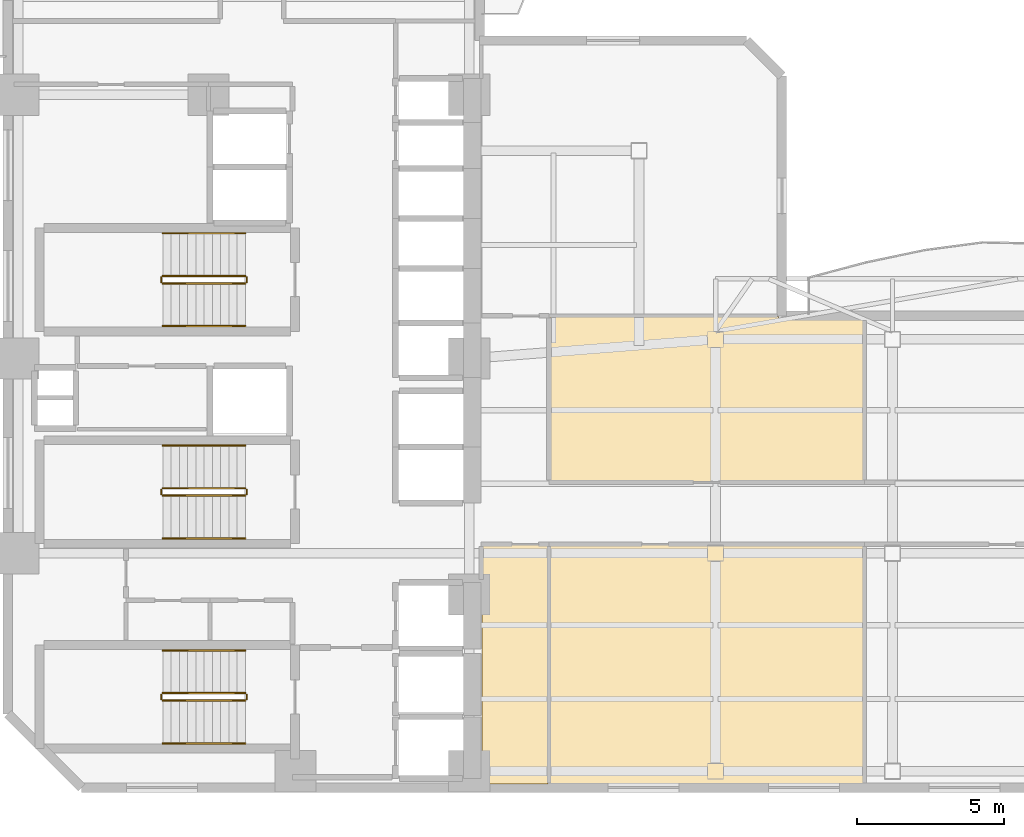
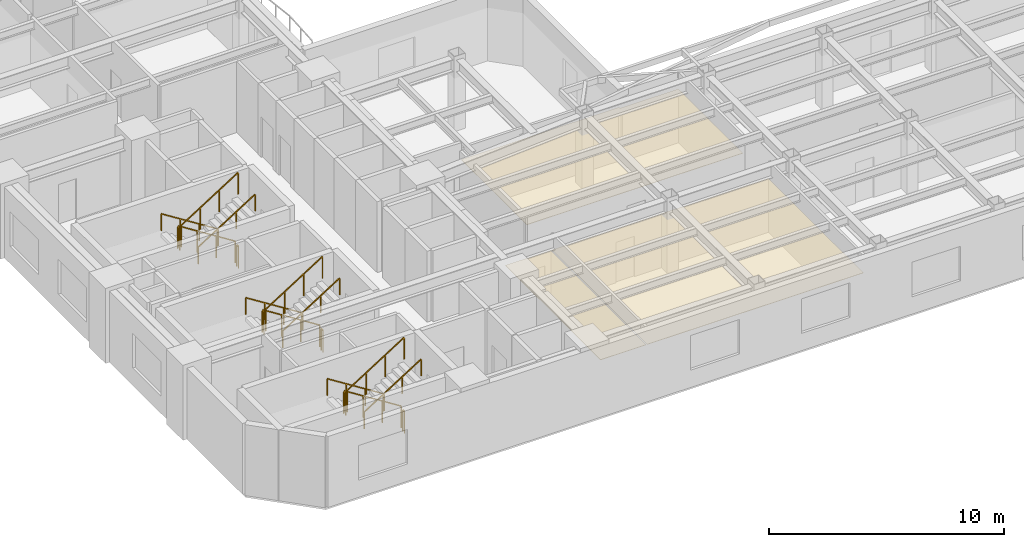
# One storey, part 8 of 10: 18 railings, 3 coverings.
"""IFC4 building model written with IfcOpenShell, lengths in metres."""

import ifcopenshell
import ifcopenshell.guid

model = None  # the IFC model being written
_history = None  # IfcOwnerHistory: only IFC2X3 demands one
_inside = {}  # id of a spatial element -> (the spatial element, [elements in it])
_under = {}  # id of a project, library or spatial element -> (it, [spatial elements below it])
_declared = {}  # id of a project -> (the project, [libraries it declares])
_typed = {}  # id of a type object -> (the type object, [elements of that type])
_made_of = {}  # id of a material, layer set ... -> (it, [elements and type objects made of it])


def new_model(schema):
    """Start an empty IFC model of exactly this schema.

    Asked for "IFC4X3", IfcOpenShell would pick the latest addendum, in which some entities
    have other attributes; the version numbers below select the first issue.
    IFC2X3 requires an IfcOwnerHistory on every rooted entity: one is made here for all.
    """
    global model, _history
    if schema == "IFC4X3":
        model = ifcopenshell.file(schema_version=(4, 3, 0, 0))
    else:
        model = ifcopenshell.file(schema=schema)
    _inside.clear()
    _under.clear()
    _declared.clear()
    _typed.clear()
    _made_of.clear()
    _history = None
    if model.schema == "IFC2X3":
        org = make("IfcOrganization", Name="unknown")
        user = make(
            "IfcPersonAndOrganization",
            ThePerson=make("IfcPerson", FamilyName="unknown"),
            TheOrganization=org,
        )
        app = make(
            "IfcApplication",
            ApplicationDeveloper=org,
            Version="unknown",
            ApplicationFullName="unknown",
            ApplicationIdentifier="unknown",
        )
        _history = make(
            "IfcOwnerHistory",
            OwningUser=user,
            OwningApplication=app,
            ChangeAction="ADDED",
            CreationDate=0,
        )
    return model


def make(cls, **values):
    """One entity of the class cls with the attributes given. An attribute that is None is left unset."""
    return model.create_entity(
        cls, **{name: value for name, value in values.items() if value is not None}
    )


def rooted(cls, **values):
    """An entity with a GlobalId (a new one), such as an element, a storey or a relation."""
    return make(cls, GlobalId=ifcopenshell.guid.new(), OwnerHistory=_history, **values)


def si_unit(unit_type, name, prefix=None):
    """IfcSIUnit, for example si_unit("LENGTHUNIT", "METRE", prefix="MILLI")."""
    return make("IfcSIUnit", UnitType=unit_type, Prefix=prefix, Name=name)


def assignment(units):
    """IfcUnitAssignment: the units of a project."""
    return None if units is None else make("IfcUnitAssignment", Units=units)


def point(xyz):
    """IfcCartesianPoint."""
    return None if xyz is None else make("IfcCartesianPoint", Coordinates=xyz)


def direction(xyz):
    """IfcDirection."""
    return None if xyz is None else make("IfcDirection", DirectionRatios=xyz)


def frame(location, z_axis=None, x_axis=None):
    """IfcAxis2Placement3D, a coordinate frame: its origin and axes. An axis left out is left unset."""
    return make(
        "IfcAxis2Placement3D",
        Location=point(location),
        Axis=direction(z_axis),
        RefDirection=direction(x_axis),
    )


def frame_2d(location, x_axis=None):
    """IfcAxis2Placement2D, a coordinate frame in the plane: its origin and x axis."""
    return make(
        "IfcAxis2Placement2D", Location=point(location), RefDirection=direction(x_axis)
    )


def origin():
    """The frame at (0, 0, 0) with its axes left unset."""
    return frame((0.0, 0.0, 0.0))


def origin_2d():
    """The frame at (0, 0) in the plane with its x axis left unset."""
    return frame_2d((0.0, 0.0))


def place(relative_to, where):
    """IfcLocalPlacement: puts the frame where relative to a parent placement (None: the world)."""
    return make(
        "IfcLocalPlacement", PlacementRelTo=relative_to, RelativePlacement=where
    )


def context(
    kind, dimensions, precision=None, world=None, true_north=None, identifier=None
):
    """IfcGeometricRepresentationContext, for example the 3D "Model" context."""
    return make(
        "IfcGeometricRepresentationContext",
        ContextIdentifier=identifier,
        ContextType=kind,
        CoordinateSpaceDimension=dimensions,
        Precision=precision,
        WorldCoordinateSystem=world,
        TrueNorth=true_north,
    )


def subcontext(parent, identifier, kind, view, scale=None):
    """IfcGeometricRepresentationSubContext, for example "Body" below "Model"."""
    return make(
        "IfcGeometricRepresentationSubContext",
        ContextIdentifier=identifier,
        ContextType=kind,
        ParentContext=parent,
        TargetScale=scale,
        TargetView=view,
    )


def project(units=None, contexts=None):
    """IfcProject with its units and contexts."""
    return rooted(
        "IfcProject",
        Name="project",
        RepresentationContexts=contexts,
        UnitsInContext=assignment(units),
    )


def spatial(cls, under=None, at=None, **own):
    """A site, building, storey or space (cls), placed at a placement, below another one or the project."""
    s = rooted(cls, ObjectPlacement=at, **own)
    if under is not None:
        _under.setdefault(under.id(), (under, []))[1].append(s)
    return s


def polyline(points):
    """IfcPolyline through the points."""
    return make("IfcPolyline", Points=[point(p) for p in points])


def profile(cls, at=None, kind="AREA", **sizes):
    """A parametric profile (cls). Its sizes go by their IFC names, for example OverallWidth=200.0."""
    return make(cls, ProfileType=kind, Position=at, **sizes)


def rectangle(**sizes):
    """IfcRectangleProfileDef."""
    return profile("IfcRectangleProfileDef", **sizes)


def outline(outer, holes=None, kind="AREA"):
    """IfcArbitraryClosedProfileDef: a profile drawn as a closed curve; with holes, ...WithVoids."""
    if holes is None:
        return make("IfcArbitraryClosedProfileDef", ProfileType=kind, OuterCurve=outer)
    return make(
        "IfcArbitraryProfileDefWithVoids",
        ProfileType=kind,
        OuterCurve=outer,
        InnerCurves=holes,
    )


def extrude(swept, where, along, depth):
    """IfcExtrudedAreaSolid: the profile swept, set in the frame where, extruded along a direction by depth."""
    return make(
        "IfcExtrudedAreaSolid",
        SweptArea=swept,
        Position=where,
        ExtrudedDirection=direction(along),
        Depth=depth,
    )


def shape(context_of_items, identifier, shape_type, items):
    """IfcShapeRepresentation: the items that make up one representation, for example the "Body"."""
    return make(
        "IfcShapeRepresentation",
        ContextOfItems=context_of_items,
        RepresentationIdentifier=identifier,
        RepresentationType=shape_type,
        Items=items,
    )


def material(Name=None, Category=None):
    """IfcMaterial."""
    return make("IfcMaterial", Name=Name, Category=Category)


def layer(
    of_material, thickness, ventilated=None, Name=None, Category=None, Priority=None
):
    """IfcMaterialLayer: one layer of a wall or slab, of a material (None: an air gap)."""
    return make(
        "IfcMaterialLayer",
        Material=of_material,
        LayerThickness=thickness,
        IsVentilated=ventilated,
        Name=Name,
        Category=Category,
        Priority=Priority,
    )


def layer_set(layers, Name=None):
    """IfcMaterialLayerSet."""
    return make("IfcMaterialLayerSet", MaterialLayers=layers, LayerSetName=Name)


def made_of(thing, what):
    """Note that an element or type object is made of a material, layer set ...; save() writes the relation."""
    if what is not None:
        _made_of.setdefault(what.id(), (what, []))[1].append(thing)
    return thing


def type_object(cls, material=None, **own):
    """A type object (cls), such as IfcWallType, which elements share."""
    return made_of(rooted(cls, **own), material)


def element(
    cls,
    number,
    at=None,
    inside=None,
    cuts=None,
    type_object=None,
    material=None,
    context=None,
    identifier="Body",
    shape_type=None,
    held_by="IfcProductDefinitionShape",
    body=None,
    shapes=None,
    **own,
):
    """One element of the class cls, such as IfcWall. Its Tag is "e" and its number.

    at: its placement. inside: the storey or other place that contains it. cuts: it is an
    opening in that element (IfcRelVoidsElement). A single representation is given by context,
    identifier, shape_type and body (its items); several are given by shapes. held_by: the class
    of the entity that holds the representations. save() writes the other relations.
    """
    e = rooted(cls, Tag="e%d" % number, ObjectPlacement=at, **own)
    if body is not None:
        shapes = [shape(context, identifier, shape_type, body)]
    if shapes is not None:
        e.Representation = make(held_by, Representations=shapes)
    if inside is not None:
        _inside.setdefault(inside.id(), (inside, []))[1].append(e)
    if cuts is not None:
        rooted(
            "IfcRelVoidsElement", RelatingBuildingElement=cuts, RelatedOpeningElement=e
        )
    if type_object is not None:
        _typed.setdefault(type_object.id(), (type_object, []))[1].append(e)
    return made_of(e, material)


def aggregate(whole, parts):
    """IfcRelAggregates: a whole, such as a stair, and the parts it consists of."""
    return rooted("IfcRelAggregates", RelatingObject=whole, RelatedObjects=parts)


def save(model, path):
    """Write the relations noted so far, then the file.

    IfcRelAggregates (storeys below a building ...), IfcRelContainedInSpatialStructure (elements
    in a storey), IfcRelDefinesByType, IfcRelAssociatesMaterial and IfcRelDeclares: one each for
    every whole, place, type object, material and project.
    """
    for whole, parts in _under.values():
        aggregate(whole, parts)
    for where, things in _inside.values():
        rooted(
            "IfcRelContainedInSpatialStructure",
            RelatedElements=things,
            RelatingStructure=where,
        )
    for kind, things in _typed.values():
        rooted("IfcRelDefinesByType", RelatedObjects=things, RelatingType=kind)
    for what, things in _made_of.values():
        rooted("IfcRelAssociatesMaterial", RelatedObjects=things, RelatingMaterial=what)
    for by, libraries in _declared.values():
        rooted("IfcRelDeclares", RelatingContext=by, RelatedDefinitions=libraries)
    model.write(path)


model = new_model("IFC4")

# Units and contexts
model_context = context("Model", 3, precision=1e-05, world=origin(), true_north=direction((0.0, 1.0)))
body_context = subcontext(model_context, "Body", "Model", "MODEL_VIEW")
ifc_project = project(units=[si_unit("LENGTHUNIT", "METRE"), si_unit("AREAUNIT", "SQUARE_METRE"), si_unit("VOLUMEUNIT", "CUBIC_METRE"), si_unit("PLANEANGLEUNIT", "RADIAN"), si_unit("MASSUNIT", "GRAM", prefix="KILO")], contexts=[model_context])

# Site, building, storey
site_placement = place(None, origin())
site = spatial("IfcSite", under=ifc_project, at=site_placement, CompositionType="ELEMENT")
building_placement = place(site_placement, origin())
building = spatial("IfcBuilding", under=site, at=building_placement, Name="Mawjaban Terraces University", CompositionType="ELEMENT")
storey_placement = place(building_placement, frame((0.0, 0.0, 81.699951171875)))
storey = spatial("IfcBuildingStorey", under=building, at=storey_placement, Name="L19", CompositionType="ELEMENT", Elevation=81.699951171875)

# Coverings
ifc_material_1 = material(Name="Acoustic mineral fibre ceiling tile", Category="masonry")
ifc_layer = layer(ifc_material_1, 0.02001953125)
ifc_layer_set = layer_set([ifc_layer], Name="Acoustic mineral fibre ceiling tile")
covering_type = type_object("IfcCoveringType", Name="AcousticMineralCeiling_20", PredefinedType="CEILING", material=ifc_layer_set)
covering_1_placement = place(storey_placement, frame((0.0, 0.0, 2.75)))
element("IfcCovering", 1, at=covering_1_placement, inside=storey, type_object=covering_type, Name="L19 Academic Counseling Room 1 Acoustic Ceiling", PredefinedType="CEILING", context=body_context, shape_type="SweptSolid", body=[
    extrude(outline(polyline([(38.080078125, 0.114990234375), (40.320068359375, 0.114990234375), (40.320068359375, 8.219970703125), (38.080078125, 8.219970703125), (38.080078125, 0.114990234375)])), origin(), (0.0, 0.0, 1.0), 0.02001953125),
])
covering_2_placement = place(storey_placement, frame((0.0, 0.0, 2.75)))
element("IfcCovering", 2, at=covering_2_placement, inside=storey, type_object=covering_type, Name="L19 Academic Counseling Room 2 Acoustic Ceiling", PredefinedType="CEILING", context=body_context, shape_type="SweptSolid", body=[
    extrude(outline(polyline([(40.3798828125, 0.114990234375), (51.014892578125, 0.114990234375), (51.014892578125, 8.219970703125), (40.3798828125, 8.219970703125), (40.3798828125, 0.114990234375)])), origin(), (0.0, 0.0, 1.0), 0.02001953125),
])
covering_3_placement = place(storey_placement, frame((0.0, 0.0, 2.75)))
element("IfcCovering", 3, at=covering_3_placement, inside=storey, type_object=covering_type, Name="L19 Academic Counseling Room 3 Acoustic Ceiling", PredefinedType="CEILING", context=body_context, shape_type="SweptSolid", body=[
    extrude(outline(polyline([(51.014892578125, 15.885009765625), (48.135009765625, 15.885009765625), (48.135009765625, 15.969970703125), (40.3798828125, 15.969970703125), (40.3798828125, 10.3798828125), (51.014892578125, 10.3798828125), (51.014892578125, 15.885009765625)])), origin(), (0.0, 0.0, 1.0), 0.02001953125),
])

# Railings
ifc_material_2 = material(Name="Brushed stainless steel 316", Category="steel")
railing_type_1 = type_object("IfcRailingType", Name="StairWallHandrail_900", PredefinedType="HANDRAIL", material=ifc_material_2)
railing_1_placement = place(storey_placement, frame((30.050048828125, 4.64990234375, 0.17724609375)))
element("IfcRailing", 4, at=railing_1_placement, inside=storey, type_object=railing_type_1, Name="L19 ST-1 stair handrail 1", PredefinedType="HANDRAIL", context=body_context, shape_type="SweptSolid", body=[
    extrude(rectangle(XDim=0.048095703125, YDim=0.048095703125, at=origin_2d()), frame((0.0, 0.0, 0.8759765625), z_axis=(-0.844908973607, 0.0, 0.534910110503), x_axis=(0.0, -1.0, 0.0)), (0.0, 0.0, 1.0), 3.31396484375),
    extrude(rectangle(XDim=0.0419921875, YDim=0.0419921875, at=origin_2d()), origin(), (0.0, 0.0, 1.0), 0.851806640625),
    extrude(rectangle(XDim=0.0419921875, YDim=0.0419921875, at=origin_2d()), frame((-0.933349609375, 0.0, 0.5908203125)), (0.0, 0.0, 1.0), 0.851806640625),
    extrude(rectangle(XDim=0.0419921875, YDim=0.0419921875, at=origin_2d()), frame((-1.86669921875, 0.0, 1.181884765625)), (0.0, 0.0, 1.0), 0.851806640625),
    extrude(rectangle(XDim=0.0419921875, YDim=0.0419921875, at=origin_2d()), frame((-2.800048828125, 0.0, 1.772705078125)), (0.0, 0.0, 1.0), 0.851806640625),
])
railing_2_placement = place(storey_placement, frame((27.25, 1.5, 2.12744140625)))
element("IfcRailing", 5, at=railing_2_placement, inside=storey, type_object=railing_type_1, Name="L19 ST-1 stair handrail 2", PredefinedType="HANDRAIL", context=body_context, shape_type="SweptSolid", body=[
    extrude(rectangle(XDim=0.048095703125, YDim=0.048095703125, at=origin_2d()), frame((0.0, 0.0, 0.8759765625), z_axis=(0.844908973607, 0.0, 0.534910110503), x_axis=(0.0, 1.0, 0.0)), (0.0, 0.0, 1.0), 3.31396484375),
    extrude(rectangle(XDim=0.0419921875, YDim=0.0419921875, at=origin_2d()), origin(), (0.0, 0.0, 1.0), 0.851806640625),
    extrude(rectangle(XDim=0.0419921875, YDim=0.0419921875, at=origin_2d()), frame((0.933349609375, 0.0, 0.5908203125)), (0.0, 0.0, 1.0), 0.851806640625),
    extrude(rectangle(XDim=0.0419921875, YDim=0.0419921875, at=origin_2d()), frame((1.86669921875, 0.0, 1.181884765625)), (0.0, 0.0, 1.0), 0.851806640625),
    extrude(rectangle(XDim=0.0419921875, YDim=0.0419921875, at=origin_2d()), frame((2.800048828125, 0.0, 1.772705078125)), (0.0, 0.0, 1.0), 0.851806640625),
])
railing_3_placement = place(storey_placement, frame((30.050048828125, 18.800048828125, 0.17724609375)))
element("IfcRailing", 6, at=railing_3_placement, inside=storey, type_object=railing_type_1, Name="L19 ST-2 stair handrail 1", PredefinedType="HANDRAIL", context=body_context, shape_type="SweptSolid", body=[
    extrude(rectangle(XDim=0.048095703125, YDim=0.048095703125, at=origin_2d()), frame((0.0, 0.0, 0.8759765625), z_axis=(-0.844908973607, 0.0, 0.534910110503), x_axis=(0.0, -1.0, 0.0)), (0.0, 0.0, 1.0), 3.31396484375),
    extrude(rectangle(XDim=0.0419921875, YDim=0.0419921875, at=origin_2d()), origin(), (0.0, 0.0, 1.0), 0.851806640625),
    extrude(rectangle(XDim=0.0419921875, YDim=0.0419921875, at=origin_2d()), frame((-0.933349609375, 0.0, 0.5908203125)), (0.0, 0.0, 1.0), 0.851806640625),
    extrude(rectangle(XDim=0.0419921875, YDim=0.0419921875, at=origin_2d()), frame((-1.86669921875, 0.0, 1.181884765625)), (0.0, 0.0, 1.0), 0.851806640625),
    extrude(rectangle(XDim=0.0419921875, YDim=0.0419921875, at=origin_2d()), frame((-2.800048828125, 0.0, 1.772705078125)), (0.0, 0.0, 1.0), 0.851806640625),
])
railing_4_placement = place(storey_placement, frame((27.25, 15.64990234375, 2.12744140625)))
element("IfcRailing", 7, at=railing_4_placement, inside=storey, type_object=railing_type_1, Name="L19 ST-2 stair handrail 2", PredefinedType="HANDRAIL", context=body_context, shape_type="SweptSolid", body=[
    extrude(rectangle(XDim=0.048095703125, YDim=0.048095703125, at=origin_2d()), frame((0.0, 0.0, 0.8759765625), z_axis=(0.844908973607, 0.0, 0.534910110503), x_axis=(0.0, 1.0, 0.0)), (0.0, 0.0, 1.0), 3.31396484375),
    extrude(rectangle(XDim=0.0419921875, YDim=0.0419921875, at=origin_2d()), origin(), (0.0, 0.0, 1.0), 0.851806640625),
    extrude(rectangle(XDim=0.0419921875, YDim=0.0419921875, at=origin_2d()), frame((0.933349609375, 0.0, 0.5908203125)), (0.0, 0.0, 1.0), 0.851806640625),
    extrude(rectangle(XDim=0.0419921875, YDim=0.0419921875, at=origin_2d()), frame((1.86669921875, 0.0, 1.181884765625)), (0.0, 0.0, 1.0), 0.851806640625),
    extrude(rectangle(XDim=0.0419921875, YDim=0.0419921875, at=origin_2d()), frame((2.800048828125, 0.0, 1.772705078125)), (0.0, 0.0, 1.0), 0.851806640625),
])
railing_5_placement = place(storey_placement, frame((30.050048828125, 11.60009765625, 0.17724609375)))
element("IfcRailing", 8, at=railing_5_placement, inside=storey, type_object=railing_type_1, Name="L19 ST-3 stair handrail 1", PredefinedType="HANDRAIL", context=body_context, shape_type="SweptSolid", body=[
    extrude(rectangle(XDim=0.048095703125, YDim=0.048095703125, at=origin_2d()), frame((0.0, 0.0, 0.8759765625), z_axis=(-0.844908973607, 0.0, 0.534910110503), x_axis=(0.0, -1.0, 0.0)), (0.0, 0.0, 1.0), 3.31396484375),
    extrude(rectangle(XDim=0.0419921875, YDim=0.0419921875, at=origin_2d()), origin(), (0.0, 0.0, 1.0), 0.851806640625),
    extrude(rectangle(XDim=0.0419921875, YDim=0.0419921875, at=origin_2d()), frame((-0.933349609375, 0.0, 0.5908203125)), (0.0, 0.0, 1.0), 0.851806640625),
    extrude(rectangle(XDim=0.0419921875, YDim=0.0419921875, at=origin_2d()), frame((-1.86669921875, 0.0, 1.181884765625)), (0.0, 0.0, 1.0), 0.851806640625),
    extrude(rectangle(XDim=0.0419921875, YDim=0.0419921875, at=origin_2d()), frame((-2.800048828125, 0.0, 1.772705078125)), (0.0, 0.0, 1.0), 0.851806640625),
])
railing_6_placement = place(storey_placement, frame((27.25, 8.449951171875, 2.12744140625)))
element("IfcRailing", 9, at=railing_6_placement, inside=storey, type_object=railing_type_1, Name="L19 ST-3 stair handrail 2", PredefinedType="HANDRAIL", context=body_context, shape_type="SweptSolid", body=[
    extrude(rectangle(XDim=0.048095703125, YDim=0.048095703125, at=origin_2d()), frame((0.0, 0.0, 0.8759765625), z_axis=(0.844908973607, 0.0, 0.534910110503), x_axis=(0.0, 1.0, 0.0)), (0.0, 0.0, 1.0), 3.31396484375),
    extrude(rectangle(XDim=0.0419921875, YDim=0.0419921875, at=origin_2d()), origin(), (0.0, 0.0, 1.0), 0.851806640625),
    extrude(rectangle(XDim=0.0419921875, YDim=0.0419921875, at=origin_2d()), frame((0.933349609375, 0.0, 0.5908203125)), (0.0, 0.0, 1.0), 0.851806640625),
    extrude(rectangle(XDim=0.0419921875, YDim=0.0419921875, at=origin_2d()), frame((1.86669921875, 0.0, 1.181884765625)), (0.0, 0.0, 1.0), 0.851806640625),
    extrude(rectangle(XDim=0.0419921875, YDim=0.0419921875, at=origin_2d()), frame((2.800048828125, 0.0, 1.772705078125)), (0.0, 0.0, 1.0), 0.851806640625),
])
ifc_material_3 = material(Name="Galvanised painted steel S355", Category="steel")
railing_type_2 = type_object("IfcRailingType", Name="StairWellGuard_1150", PredefinedType="BALUSTRADE", material=ifc_material_3)
railing_7_placement = place(storey_placement, frame((30.050048828125, 3.199951171875, 0.17724609375)))
element("IfcRailing", 10, at=railing_7_placement, inside=storey, type_object=railing_type_2, Name="L19 ST-1 stair guard 1", PredefinedType="BALUSTRADE", context=body_context, shape_type="SweptSolid", body=[
    extrude(rectangle(XDim=0.048095703125, YDim=0.048095703125, at=origin_2d()), frame((0.0, 0.0, 1.1259765625), z_axis=(-0.844908973607, 0.0, 0.534910110503), x_axis=(0.0, -1.0, 0.0)), (0.0, 0.0, 1.0), 3.31396484375),
    extrude(rectangle(XDim=0.0419921875, YDim=0.0419921875, at=origin_2d()), origin(), (0.0, 0.0, 1.0), 1.101806640625),
    extrude(rectangle(XDim=0.0419921875, YDim=0.0419921875, at=origin_2d()), frame((-0.933349609375, 0.0, 0.5908203125)), (0.0, 0.0, 1.0), 1.101806640625),
    extrude(rectangle(XDim=0.0419921875, YDim=0.0419921875, at=origin_2d()), frame((-1.86669921875, 0.0, 1.181884765625)), (0.0, 0.0, 1.0), 1.101806640625),
    extrude(rectangle(XDim=0.0419921875, YDim=0.0419921875, at=origin_2d()), frame((-2.800048828125, 0.0, 1.772705078125)), (0.0, 0.0, 1.0), 1.101806640625),
])
railing_8_placement = place(storey_placement, frame((27.199951171875, 3.14990234375, 1.949951171875)))
element("IfcRailing", 11, at=railing_8_placement, inside=storey, type_object=railing_type_2, Name="L19 ST-1 stair guard 2", PredefinedType="BALUSTRADE", context=body_context, shape_type="SweptSolid", body=[
    extrude(rectangle(XDim=0.048095703125, YDim=0.048095703125, at=origin_2d()), frame((0.0, 0.0, 1.1259765625), z_axis=(0.0, -1.0, 0.0), x_axis=(1.0, 0.0, 0.0)), (0.0, 0.0, 1.0), 0.14990234375),
    extrude(rectangle(XDim=0.0419921875, YDim=0.0419921875, at=origin_2d()), origin(), (0.0, 0.0, 1.0), 1.101806640625),
    extrude(rectangle(XDim=0.0419921875, YDim=0.0419921875, at=origin_2d()), frame((0.0, -0.14990234375, 0.0)), (0.0, 0.0, 1.0), 1.101806640625),
])
railing_9_placement = place(storey_placement, frame((27.25, 2.949951171875, 2.12744140625)))
element("IfcRailing", 12, at=railing_9_placement, inside=storey, type_object=railing_type_2, Name="L19 ST-1 stair guard 3", PredefinedType="BALUSTRADE", context=body_context, shape_type="SweptSolid", body=[
    extrude(rectangle(XDim=0.048095703125, YDim=0.048095703125, at=origin_2d()), frame((0.0, 0.0, 1.1259765625), z_axis=(0.844908973607, 0.0, 0.534910110503), x_axis=(0.0, 1.0, 0.0)), (0.0, 0.0, 1.0), 3.31396484375),
    extrude(rectangle(XDim=0.0419921875, YDim=0.0419921875, at=origin_2d()), origin(), (0.0, 0.0, 1.0), 1.101806640625),
    extrude(rectangle(XDim=0.0419921875, YDim=0.0419921875, at=origin_2d()), frame((0.933349609375, 0.0, 0.5908203125)), (0.0, 0.0, 1.0), 1.101806640625),
    extrude(rectangle(XDim=0.0419921875, YDim=0.0419921875, at=origin_2d()), frame((1.86669921875, 0.0, 1.181884765625)), (0.0, 0.0, 1.0), 1.101806640625),
    extrude(rectangle(XDim=0.0419921875, YDim=0.0419921875, at=origin_2d()), frame((2.800048828125, 0.0, 1.772705078125)), (0.0, 0.0, 1.0), 1.101806640625),
])
railing_10_placement = place(storey_placement, frame((30.10009765625, 3.14990234375, 0.0)))
element("IfcRailing", 13, at=railing_10_placement, inside=storey, type_object=railing_type_2, Name="L19 ST-1 stair guard 4", PredefinedType="BALUSTRADE", context=body_context, shape_type="SweptSolid", body=[
    extrude(rectangle(XDim=0.048095703125, YDim=0.048095703125, at=origin_2d()), frame((0.0, 0.0, 1.1259765625), z_axis=(0.0, -1.0, 0.0), x_axis=(1.0, 0.0, 0.0)), (0.0, 0.0, 1.0), 0.14990234375),
    extrude(rectangle(XDim=0.0419921875, YDim=0.0419921875, at=origin_2d()), origin(), (0.0, 0.0, 1.0), 1.101806640625),
    extrude(rectangle(XDim=0.0419921875, YDim=0.0419921875, at=origin_2d()), frame((0.0, -0.14990234375, 0.0)), (0.0, 0.0, 1.0), 1.101806640625),
])
railing_11_placement = place(storey_placement, frame((30.050048828125, 17.35009765625, 0.17724609375)))
element("IfcRailing", 14, at=railing_11_placement, inside=storey, type_object=railing_type_2, Name="L19 ST-2 stair guard 1", PredefinedType="BALUSTRADE", context=body_context, shape_type="SweptSolid", body=[
    extrude(rectangle(XDim=0.048095703125, YDim=0.048095703125, at=origin_2d()), frame((0.0, 0.0, 1.1259765625), z_axis=(-0.844908973607, 0.0, 0.534910110503), x_axis=(0.0, -1.0, 0.0)), (0.0, 0.0, 1.0), 3.31396484375),
    extrude(rectangle(XDim=0.0419921875, YDim=0.0419921875, at=origin_2d()), origin(), (0.0, 0.0, 1.0), 1.101806640625),
    extrude(rectangle(XDim=0.0419921875, YDim=0.0419921875, at=origin_2d()), frame((-0.933349609375, 0.0, 0.5908203125)), (0.0, 0.0, 1.0), 1.101806640625),
    extrude(rectangle(XDim=0.0419921875, YDim=0.0419921875, at=origin_2d()), frame((-1.86669921875, 0.0, 1.181884765625)), (0.0, 0.0, 1.0), 1.101806640625),
    extrude(rectangle(XDim=0.0419921875, YDim=0.0419921875, at=origin_2d()), frame((-2.800048828125, 0.0, 1.772705078125)), (0.0, 0.0, 1.0), 1.101806640625),
])
railing_12_placement = place(storey_placement, frame((27.199951171875, 17.300048828125, 1.949951171875)))
element("IfcRailing", 15, at=railing_12_placement, inside=storey, type_object=railing_type_2, Name="L19 ST-2 stair guard 2", PredefinedType="BALUSTRADE", context=body_context, shape_type="SweptSolid", body=[
    extrude(rectangle(XDim=0.048095703125, YDim=0.048095703125, at=origin_2d()), frame((0.0, 0.0, 1.1259765625), z_axis=(0.0, -1.0, 0.0), x_axis=(1.0, 0.0, 0.0)), (0.0, 0.0, 1.0), 0.150146484375),
    extrude(rectangle(XDim=0.0419921875, YDim=0.0419921875, at=origin_2d()), origin(), (0.0, 0.0, 1.0), 1.101806640625),
    extrude(rectangle(XDim=0.0419921875, YDim=0.0419921875, at=origin_2d()), frame((0.0, -0.150146484375, 0.0)), (0.0, 0.0, 1.0), 1.101806640625),
])
railing_13_placement = place(storey_placement, frame((27.25, 17.10009765625, 2.12744140625)))
element("IfcRailing", 16, at=railing_13_placement, inside=storey, type_object=railing_type_2, Name="L19 ST-2 stair guard 3", PredefinedType="BALUSTRADE", context=body_context, shape_type="SweptSolid", body=[
    extrude(rectangle(XDim=0.048095703125, YDim=0.048095703125, at=origin_2d()), frame((0.0, 0.0, 1.1259765625), z_axis=(0.844908973607, 0.0, 0.534910110503), x_axis=(0.0, 1.0, 0.0)), (0.0, 0.0, 1.0), 3.31396484375),
    extrude(rectangle(XDim=0.0419921875, YDim=0.0419921875, at=origin_2d()), origin(), (0.0, 0.0, 1.0), 1.101806640625),
    extrude(rectangle(XDim=0.0419921875, YDim=0.0419921875, at=origin_2d()), frame((0.933349609375, 0.0, 0.5908203125)), (0.0, 0.0, 1.0), 1.101806640625),
    extrude(rectangle(XDim=0.0419921875, YDim=0.0419921875, at=origin_2d()), frame((1.86669921875, 0.0, 1.181884765625)), (0.0, 0.0, 1.0), 1.101806640625),
    extrude(rectangle(XDim=0.0419921875, YDim=0.0419921875, at=origin_2d()), frame((2.800048828125, 0.0, 1.772705078125)), (0.0, 0.0, 1.0), 1.101806640625),
])
railing_14_placement = place(storey_placement, frame((30.10009765625, 17.300048828125, 0.0)))
element("IfcRailing", 17, at=railing_14_placement, inside=storey, type_object=railing_type_2, Name="L19 ST-2 stair guard 4", PredefinedType="BALUSTRADE", context=body_context, shape_type="SweptSolid", body=[
    extrude(rectangle(XDim=0.048095703125, YDim=0.048095703125, at=origin_2d()), frame((0.0, 0.0, 1.1259765625), z_axis=(0.0, -1.0, 0.0), x_axis=(1.0, 0.0, 0.0)), (0.0, 0.0, 1.0), 0.150146484375),
    extrude(rectangle(XDim=0.0419921875, YDim=0.0419921875, at=origin_2d()), origin(), (0.0, 0.0, 1.0), 1.101806640625),
    extrude(rectangle(XDim=0.0419921875, YDim=0.0419921875, at=origin_2d()), frame((0.0, -0.150146484375, 0.0)), (0.0, 0.0, 1.0), 1.101806640625),
])
railing_15_placement = place(storey_placement, frame((30.050048828125, 10.14990234375, 0.17724609375)))
element("IfcRailing", 18, at=railing_15_placement, inside=storey, type_object=railing_type_2, Name="L19 ST-3 stair guard 1", PredefinedType="BALUSTRADE", context=body_context, shape_type="SweptSolid", body=[
    extrude(rectangle(XDim=0.048095703125, YDim=0.048095703125, at=origin_2d()), frame((0.0, 0.0, 1.1259765625), z_axis=(-0.844908973607, 0.0, 0.534910110503), x_axis=(0.0, -1.0, 0.0)), (0.0, 0.0, 1.0), 3.31396484375),
    extrude(rectangle(XDim=0.0419921875, YDim=0.0419921875, at=origin_2d()), origin(), (0.0, 0.0, 1.0), 1.101806640625),
    extrude(rectangle(XDim=0.0419921875, YDim=0.0419921875, at=origin_2d()), frame((-0.933349609375, 0.0, 0.5908203125)), (0.0, 0.0, 1.0), 1.101806640625),
    extrude(rectangle(XDim=0.0419921875, YDim=0.0419921875, at=origin_2d()), frame((-1.86669921875, 0.0, 1.181884765625)), (0.0, 0.0, 1.0), 1.101806640625),
    extrude(rectangle(XDim=0.0419921875, YDim=0.0419921875, at=origin_2d()), frame((-2.800048828125, 0.0, 1.772705078125)), (0.0, 0.0, 1.0), 1.101806640625),
])
railing_16_placement = place(storey_placement, frame((27.199951171875, 10.10009765625, 1.949951171875)))
element("IfcRailing", 19, at=railing_16_placement, inside=storey, type_object=railing_type_2, Name="L19 ST-3 stair guard 2", PredefinedType="BALUSTRADE", context=body_context, shape_type="SweptSolid", body=[
    extrude(rectangle(XDim=0.048095703125, YDim=0.048095703125, at=origin_2d()), frame((0.0, 0.0, 1.1259765625), z_axis=(0.0, -1.0, 0.0), x_axis=(1.0, 0.0, 0.0)), (0.0, 0.0, 1.0), 0.150146484375),
    extrude(rectangle(XDim=0.0419921875, YDim=0.0419921875, at=origin_2d()), origin(), (0.0, 0.0, 1.0), 1.101806640625),
    extrude(rectangle(XDim=0.0419921875, YDim=0.0419921875, at=origin_2d()), frame((0.0, -0.150146484375, 0.0)), (0.0, 0.0, 1.0), 1.101806640625),
])
railing_17_placement = place(storey_placement, frame((27.25, 9.89990234375, 2.12744140625)))
element("IfcRailing", 20, at=railing_17_placement, inside=storey, type_object=railing_type_2, Name="L19 ST-3 stair guard 3", PredefinedType="BALUSTRADE", context=body_context, shape_type="SweptSolid", body=[
    extrude(rectangle(XDim=0.048095703125, YDim=0.048095703125, at=origin_2d()), frame((0.0, 0.0, 1.1259765625), z_axis=(0.844908973607, 0.0, 0.534910110503), x_axis=(0.0, 1.0, 0.0)), (0.0, 0.0, 1.0), 3.31396484375),
    extrude(rectangle(XDim=0.0419921875, YDim=0.0419921875, at=origin_2d()), origin(), (0.0, 0.0, 1.0), 1.101806640625),
    extrude(rectangle(XDim=0.0419921875, YDim=0.0419921875, at=origin_2d()), frame((0.933349609375, 0.0, 0.5908203125)), (0.0, 0.0, 1.0), 1.101806640625),
    extrude(rectangle(XDim=0.0419921875, YDim=0.0419921875, at=origin_2d()), frame((1.86669921875, 0.0, 1.181884765625)), (0.0, 0.0, 1.0), 1.101806640625),
    extrude(rectangle(XDim=0.0419921875, YDim=0.0419921875, at=origin_2d()), frame((2.800048828125, 0.0, 1.772705078125)), (0.0, 0.0, 1.0), 1.101806640625),
])
railing_18_placement = place(storey_placement, frame((30.10009765625, 10.10009765625, 0.0)))
element("IfcRailing", 21, at=railing_18_placement, inside=storey, type_object=railing_type_2, Name="L19 ST-3 stair guard 4", PredefinedType="BALUSTRADE", context=body_context, shape_type="SweptSolid", body=[
    extrude(rectangle(XDim=0.048095703125, YDim=0.048095703125, at=origin_2d()), frame((0.0, 0.0, 1.1259765625), z_axis=(0.0, -1.0, 0.0), x_axis=(1.0, 0.0, 0.0)), (0.0, 0.0, 1.0), 0.150146484375),
    extrude(rectangle(XDim=0.0419921875, YDim=0.0419921875, at=origin_2d()), origin(), (0.0, 0.0, 1.0), 1.101806640625),
    extrude(rectangle(XDim=0.0419921875, YDim=0.0419921875, at=origin_2d()), frame((0.0, -0.150146484375, 0.0)), (0.0, 0.0, 1.0), 1.101806640625),
])

save(model, "model.ifc")
